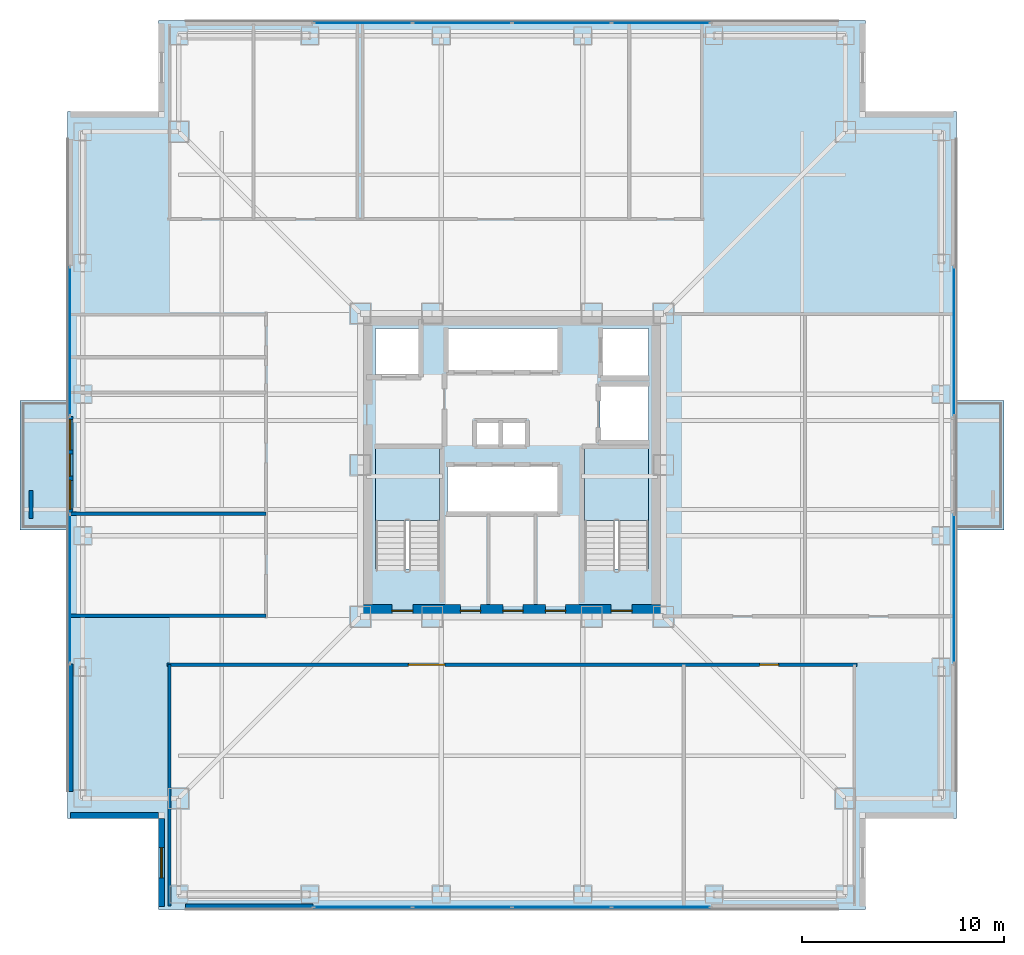
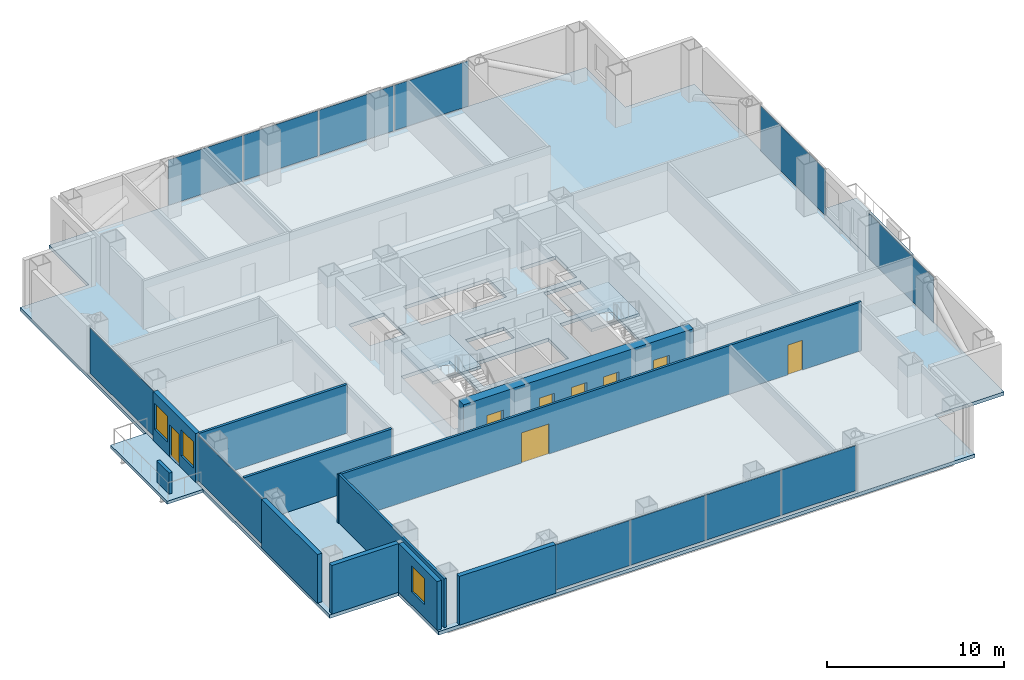
# One storey, part 11 of 16: 12 plates, 11 walls, 8 doors, 5 slabs, 3 windows, 11 openings, 8 elements without a shape of their own.
"""IFC4 building model written with IfcOpenShell, lengths in metres."""

from ifc_helpers import new_model, si_unit, direction, frame, frame_2d, origin, origin_2d, place, context, subcontext, project, spatial, polyline, rectangle, outline, extrude, material, layer, layer_set, type_object, element, fill, aggregate, save


model = new_model("IFC4")

# Units and contexts
model_context = context("Model", 3, precision=1e-05, world=origin(), true_north=direction((0.0, 1.0)))
body_context = subcontext(model_context, "Body", "Model", "MODEL_VIEW")
ifc_project = project(units=[si_unit("LENGTHUNIT", "METRE"), si_unit("AREAUNIT", "SQUARE_METRE"), si_unit("VOLUMEUNIT", "CUBIC_METRE"), si_unit("PLANEANGLEUNIT", "RADIAN"), si_unit("MASSUNIT", "GRAM", prefix="KILO")], contexts=[model_context])

# Site, building, storey
site_placement = place(None, origin())
site = spatial("IfcSite", under=ifc_project, at=site_placement, CompositionType="ELEMENT")
building_placement = place(site_placement, origin())
building = spatial("IfcBuilding", under=site, at=building_placement, Name="Trevonay Congress Spire", CompositionType="ELEMENT")
storey_placement = place(building_placement, frame((0.0, 0.0, 144.39990234375)))
storey = spatial("IfcBuildingStorey", under=building, at=storey_placement, Name="L37", CompositionType="ELEMENT", Elevation=144.39990234375)

# Curtain wall, plates
ifc_material_1 = material(Name="Pale Anodised Aluminium EN AW-6063-T6", Category="aluminium")
ifc_layer_1 = layer(ifc_material_1, 0.175048828125, Name="Pale Anodised Aluminium EN AW-6063-T6")
ifc_layer_set_1 = layer_set([ifc_layer_1], Name="Pale Anodised Aluminium EN AW-6063-T6")
curtain_wall_type = type_object("IfcCurtainWallType", Name="CW-SYS03-CONGRESS-PALE-METAL", PredefinedType="NOTDEFINED", material=ifc_layer_set_1)
curtain_wall_1_placement = place(storey_placement, origin())
curtain_wall_1 = element("IfcCurtainWall", 1, at=curtain_wall_1_placement, inside=storey, type_object=curtain_wall_type, Name="L37 S unitised curtain wall", PredefinedType="NOTDEFINED")
ifc_material_2 = material(Name="Insulated Low-E Vision Glass IGU", Category="glass")
ifc_layer_2 = layer(ifc_material_2, 0.035888671875, Name="Insulated Low-E Vision Glass IGU")
ifc_layer_set_2 = layer_set([ifc_layer_2], Name="Insulated Low-E Vision Glass IGU")
plate_type = type_object("IfcPlateType", Name="CW-PANEL-IGU36-SILVER", PredefinedType="CURTAIN_PANEL", material=ifc_layer_set_2)
plate_1_placement = place(storey_placement, frame((-7.37255859375, -21.8798828125, 0.1201171875), z_axis=(0.0, 0.0, 1.0), x_axis=(1.0, 0.0, 0.0)))
plate_1 = element("IfcPlate", 2, at=plate_1_placement, type_object=plate_type, Name="CW03 panel 1.1", PredefinedType="CURTAIN_PANEL", context=body_context, shape_type="SweptSolid", body=[
    extrude(rectangle(XDim=4.8349609375, YDim=0.035888671875, at=origin_2d()), origin(), (0.0, 0.0, 1.0), 3.1201171875),
])
plate_2_placement = place(storey_placement, frame((-2.46240234375, -21.8798828125, 0.1201171875), z_axis=(0.0, 0.0, 1.0), x_axis=(1.0, 0.0, 0.0)))
plate_2 = element("IfcPlate", 3, at=plate_2_placement, type_object=plate_type, Name="CW03 panel 2.1", PredefinedType="CURTAIN_PANEL", context=body_context, shape_type="SweptSolid", body=[
    extrude(rectangle(XDim=4.864990234375, YDim=0.035888671875, at=origin_2d()), origin(), (0.0, 0.0, 1.0), 3.1201171875),
])
plate_3_placement = place(storey_placement, frame((2.46240234375, -21.8798828125, 0.1201171875), z_axis=(0.0, 0.0, 1.0), x_axis=(1.0, 0.0, 0.0)))
plate_3 = element("IfcPlate", 4, at=plate_3_placement, type_object=plate_type, Name="CW03 panel 3.1", PredefinedType="CURTAIN_PANEL", context=body_context, shape_type="SweptSolid", body=[
    extrude(rectangle(XDim=4.864990234375, YDim=0.035888671875, at=origin_2d()), origin(), (0.0, 0.0, 1.0), 3.1201171875),
])
plate_4_placement = place(storey_placement, frame((7.37255859375, -21.8798828125, 0.1201171875), z_axis=(0.0, 0.0, 1.0), x_axis=(1.0, 0.0, 0.0)))
plate_4 = element("IfcPlate", 5, at=plate_4_placement, type_object=plate_type, Name="CW03 panel 4.1", PredefinedType="CURTAIN_PANEL", context=body_context, shape_type="SweptSolid", body=[
    extrude(rectangle(XDim=4.8349609375, YDim=0.035888671875, at=origin_2d()), origin(), (0.0, 0.0, 1.0), 3.1201171875),
])
aggregate(curtain_wall_1, [plate_1, plate_2, plate_3, plate_4])

curtain_wall_2_placement = place(storey_placement, origin())
curtain_wall_2 = element("IfcCurtainWall", 6, at=curtain_wall_2_placement, inside=storey, type_object=curtain_wall_type, Name="L37 N unitised curtain wall", PredefinedType="NOTDEFINED")
plate_5_placement = place(storey_placement, frame((-7.37255859375, 21.8798828125, 0.1201171875), z_axis=(0.0, 0.0, 1.0), x_axis=(1.0, 0.0, 0.0)))
plate_5 = element("IfcPlate", 7, at=plate_5_placement, type_object=plate_type, Name="CW03 panel 1.1", PredefinedType="CURTAIN_PANEL", context=body_context, shape_type="SweptSolid", body=[
    extrude(rectangle(XDim=4.8349609375, YDim=0.035888671875, at=origin_2d()), origin(), (0.0, 0.0, 1.0), 3.1201171875),
])
plate_6_placement = place(storey_placement, frame((-2.46240234375, 21.8798828125, 0.1201171875), z_axis=(0.0, 0.0, 1.0), x_axis=(1.0, 0.0, 0.0)))
plate_6 = element("IfcPlate", 8, at=plate_6_placement, type_object=plate_type, Name="CW03 panel 2.1", PredefinedType="CURTAIN_PANEL", context=body_context, shape_type="SweptSolid", body=[
    extrude(rectangle(XDim=4.864990234375, YDim=0.035888671875, at=origin_2d()), origin(), (0.0, 0.0, 1.0), 3.1201171875),
])
plate_7_placement = place(storey_placement, frame((2.46240234375, 21.8798828125, 0.1201171875), z_axis=(0.0, 0.0, 1.0), x_axis=(1.0, 0.0, 0.0)))
plate_7 = element("IfcPlate", 9, at=plate_7_placement, type_object=plate_type, Name="CW03 panel 3.1", PredefinedType="CURTAIN_PANEL", context=body_context, shape_type="SweptSolid", body=[
    extrude(rectangle(XDim=4.864990234375, YDim=0.035888671875, at=origin_2d()), origin(), (0.0, 0.0, 1.0), 3.1201171875),
])
plate_8_placement = place(storey_placement, frame((7.37255859375, 21.8798828125, 0.1201171875), z_axis=(0.0, 0.0, 1.0), x_axis=(1.0, 0.0, 0.0)))
plate_8 = element("IfcPlate", 10, at=plate_8_placement, type_object=plate_type, Name="CW03 panel 4.1", PredefinedType="CURTAIN_PANEL", context=body_context, shape_type="SweptSolid", body=[
    extrude(rectangle(XDim=4.8349609375, YDim=0.035888671875, at=origin_2d()), origin(), (0.0, 0.0, 1.0), 3.1201171875),
])
aggregate(curtain_wall_2, [plate_5, plate_6, plate_7, plate_8])

# Curtain wall, plate
curtain_wall_3_placement = place(storey_placement, origin())
curtain_wall_3 = element("IfcCurtainWall", 11, at=curtain_wall_3_placement, inside=storey, type_object=curtain_wall_type, Name="L37 WA unitised curtain wall", PredefinedType="NOTDEFINED")
plate_9_placement = place(storey_placement, frame((-21.8798828125, -6.125, 0.1201171875), z_axis=(0.0, 0.0, 1.0), x_axis=(0.0, 1.0, 0.0)))
plate_9 = element("IfcPlate", 12, at=plate_9_placement, type_object=plate_type, Name="CW03 panel 1.1", PredefinedType="CURTAIN_PANEL", context=body_context, shape_type="SweptSolid", body=[
    extrude(rectangle(XDim=7.330078125, YDim=0.035888671875, at=origin_2d()), origin(), (0.0, 0.0, 1.0), 3.1201171875),
])
aggregate(curtain_wall_3, [plate_9])

curtain_wall_4_placement = place(storey_placement, origin())
curtain_wall_4 = element("IfcCurtainWall", 13, at=curtain_wall_4_placement, inside=storey, type_object=curtain_wall_type, Name="L37 WB unitised curtain wall", PredefinedType="NOTDEFINED")
plate_10_placement = place(storey_placement, frame((-21.8798828125, 6.125, 0.1201171875), z_axis=(0.0, 0.0, 1.0), x_axis=(0.0, 1.0, 0.0)))
plate_10 = element("IfcPlate", 14, at=plate_10_placement, type_object=plate_type, Name="CW03 panel 1.1", PredefinedType="CURTAIN_PANEL", context=body_context, shape_type="SweptSolid", body=[
    extrude(rectangle(XDim=7.330078125, YDim=0.035888671875, at=origin_2d()), origin(), (0.0, 0.0, 1.0), 3.1201171875),
])
aggregate(curtain_wall_4, [plate_10])

curtain_wall_5_placement = place(storey_placement, origin())
curtain_wall_5 = element("IfcCurtainWall", 15, at=curtain_wall_5_placement, inside=storey, type_object=curtain_wall_type, Name="L37 EA unitised curtain wall", PredefinedType="NOTDEFINED")
plate_11_placement = place(storey_placement, frame((21.8798828125, -6.125, 0.1201171875), z_axis=(0.0, 0.0, 1.0), x_axis=(0.0, 1.0, 0.0)))
plate_11 = element("IfcPlate", 16, at=plate_11_placement, type_object=plate_type, Name="CW03 panel 1.1", PredefinedType="CURTAIN_PANEL", context=body_context, shape_type="SweptSolid", body=[
    extrude(rectangle(XDim=7.330078125, YDim=0.035888671875, at=origin_2d()), origin(), (0.0, 0.0, 1.0), 3.1201171875),
])
aggregate(curtain_wall_5, [plate_11])

curtain_wall_6_placement = place(storey_placement, origin())
curtain_wall_6 = element("IfcCurtainWall", 17, at=curtain_wall_6_placement, inside=storey, type_object=curtain_wall_type, Name="L37 EB unitised curtain wall", PredefinedType="NOTDEFINED")
plate_12_placement = place(storey_placement, frame((21.8798828125, 6.125, 0.1201171875), z_axis=(0.0, 0.0, 1.0), x_axis=(0.0, 1.0, 0.0)))
plate_12 = element("IfcPlate", 18, at=plate_12_placement, type_object=plate_type, Name="CW03 panel 1.1", PredefinedType="CURTAIN_PANEL", context=body_context, shape_type="SweptSolid", body=[
    extrude(rectangle(XDim=7.330078125, YDim=0.035888671875, at=origin_2d()), origin(), (0.0, 0.0, 1.0), 3.1201171875),
])
aggregate(curtain_wall_6, [plate_12])

# Stair, slab
ifc_material_3 = material(Name="Concrete C40/50", Category="concrete")
stair_type_1 = type_object("IfcStairType", Name="STR-ST-1", PredefinedType="HALF_TURN_STAIR", material=ifc_material_3)
stair_1_placement = place(storey_placement, origin())
stair_1 = element("IfcStair", 19, at=stair_1_placement, inside=storey, type_object=stair_type_1, Name="L37 Protected Exit Stair ST-1", PredefinedType="HALF_TURN_STAIR")
ifc_layer_3 = layer(ifc_material_3, 0.199951171875, Name="Concrete C40/50")
ifc_layer_set_3 = layer_set([ifc_layer_3], Name="Concrete C40/50")
slab_type_1 = type_object("IfcSlabType", Name="SLB-STAIR-LAND-200", PredefinedType="LANDING", material=ifc_layer_set_3)
slab_1_placement = place(storey_placement, frame((0.0, 0.0, 1.60009765625)))
slab_1 = element("IfcSlab", 20, at=slab_1_placement, type_object=slab_type_1, Name="ST-1 landing 1", PredefinedType="LANDING", context=body_context, shape_type="SweptSolid", body=[
    extrude(outline(polyline([(-3.60009765625, -2.72998046875), (-3.60009765625, 0.85009765625), (-6.75, 0.85009765625), (-6.75, -2.72998046875), (-3.60009765625, -2.72998046875)])), origin(), (0.0, 0.0, 1.0), 0.199951171875),
])
aggregate(stair_1, [slab_1])

stair_type_2 = type_object("IfcStairType", Name="STR-ST-2", PredefinedType="HALF_TURN_STAIR", material=ifc_material_3)
stair_2_placement = place(storey_placement, origin())
stair_2 = element("IfcStair", 21, at=stair_2_placement, inside=storey, type_object=stair_type_2, Name="L37 Protected Exit Stair ST-2", PredefinedType="HALF_TURN_STAIR")
slab_2_placement = place(storey_placement, frame((0.0, 0.0, 1.60009765625)))
slab_2 = element("IfcSlab", 22, at=slab_2_placement, type_object=slab_type_1, Name="ST-2 landing 1", PredefinedType="LANDING", context=body_context, shape_type="SweptSolid", body=[
    extrude(outline(polyline([(6.75, -2.72998046875), (6.75, 0.85009765625), (3.60009765625, 0.85009765625), (3.60009765625, -2.72998046875), (6.75, -2.72998046875)])), origin(), (0.0, 0.0, 1.0), 0.199951171875),
])
aggregate(stair_2, [slab_2])

# Slabs
ifc_layer_4 = layer(ifc_material_3, 0.239990234375, Name="Concrete C40/50")
ifc_layer_set_4 = layer_set([ifc_layer_4], Name="Concrete C40/50")
slab_type_2 = type_object("IfcSlabType", Name="SLB-TOW2-240", PredefinedType="FLOOR", material=ifc_layer_set_4)
slab_3_placement = place(storey_placement, frame((0.0, 0.0, -0.239990234375)))
element("IfcSlab", 23, at=slab_3_placement, inside=storey, type_object=slab_type_2, Name="L37 structural floor slab", PredefinedType="FLOOR", context=body_context, shape_type="SweptSolid", body=[
    extrude(outline(polyline([(-17.5, -22.0), (17.5, -22.0), (17.5, -17.5), (22.0, -17.5), (22.0, 17.5), (17.5, 17.5), (17.5, 22.0), (-17.5, 22.0), (-17.5, 17.5), (-22.0, 17.5), (-22.0, -17.5), (-17.5, -17.5), (-17.5, -22.0)]), holes=[polyline([(-3.60009765625, -5.14990234375), (-3.60009765625, 0.85009765625), (-6.75, 0.85009765625), (-6.75, -5.14990234375), (-3.60009765625, -5.14990234375)]), polyline([(6.75, -5.14990234375), (6.75, 0.85009765625), (3.60009765625, 0.85009765625), (3.60009765625, -5.14990234375), (6.75, -5.14990234375)]), polyline([(-3.199951171875, -2.35009765625), (2.340087890625, -2.35009765625), (2.340087890625, -0.050048828125), (-3.199951171875, -0.050048828125), (-3.199951171875, -2.35009765625)]), polyline([(-3.199951171875, 4.64990234375), (2.340087890625, 4.64990234375), (2.340087890625, 6.75), (-3.199951171875, 6.75), (-3.199951171875, 4.64990234375)]), polyline([(-6.75, 4.35009765625), (-4.449951171875, 4.35009765625), (-4.449951171875, 6.75), (-6.75, 6.75), (-6.75, 4.35009765625)]), polyline([(4.449951171875, 4.35009765625), (6.75, 4.35009765625), (6.75, 6.75), (4.449951171875, 6.75), (4.449951171875, 4.35009765625)]), polyline([(4.35009765625, 1.199951171875), (6.75, 1.199951171875), (6.75, 3.949951171875), (4.35009765625, 3.949951171875), (4.35009765625, 1.199951171875)]), polyline([(-1.800048828125, 0.949951171875), (0.699951171875, 0.949951171875), (0.699951171875, 2.14990234375), (-1.800048828125, 2.14990234375), (-1.800048828125, 0.949951171875)])]), origin(), (0.0, 0.0, 1.0), 0.239990234375),
])
ifc_layer_5 = layer(ifc_material_3, 0.2099609375, Name="Concrete C40/50")
ifc_layer_set_5 = layer_set([ifc_layer_5], Name="Concrete C40/50")
slab_type_3 = type_object("IfcSlabType", Name="SLB-TREEBAL-210", PredefinedType="FLOOR", material=ifc_layer_set_5)
slab_4_placement = place(storey_placement, frame((0.0, 0.0, -0.2099609375)))
element("IfcSlab", 24, at=slab_4_placement, inside=storey, type_object=slab_type_3, Name="L37 cantilevered tree-planter balcony pod E", PredefinedType="FLOOR", context=body_context, shape_type="SweptSolid", body=[
    extrude(outline(polyline([(22.0, -3.199951171875), (24.35009765625, -3.199951171875), (24.35009765625, 3.199951171875), (22.0, 3.199951171875), (22.0, -3.199951171875)])), origin(), (0.0, 0.0, 1.0), 0.2099609375),
])
slab_5_placement = place(storey_placement, frame((0.0, 0.0, -0.2099609375)))
element("IfcSlab", 25, at=slab_5_placement, inside=storey, type_object=slab_type_3, Name="L37 cantilevered tree-planter balcony pod W", PredefinedType="FLOOR", context=body_context, shape_type="SweptSolid", body=[
    extrude(outline(polyline([(-24.35009765625, -3.199951171875), (-22.0, -3.199951171875), (-22.0, 3.199951171875), (-24.35009765625, 3.199951171875), (-24.35009765625, -3.199951171875)])), origin(), (0.0, 0.0, 1.0), 0.2099609375),
])

# Wall, openings, doors
ifc_material_4 = material(Name="Concrete C60/75", Category="concrete")
ifc_layer_6 = layer(ifc_material_4, 0.60009765625, Name="Concrete C60/75")
ifc_layer_set_6 = layer_set([ifc_layer_6], Name="Concrete C60/75")
wall_type_1 = type_object("IfcWallType", Name="WAL-CORE-600", PredefinedType="SHEAR", material=ifc_layer_set_6)
wall_1_placement = place(storey_placement, frame((-7.5, -7.199951171875, 0.0), z_axis=(0.0, 0.0, 1.0), x_axis=(1.0, 0.0, 0.0)))
wall_1 = element("IfcWall", 26, at=wall_1_placement, inside=storey, type_object=wall_type_1, Name="L37 South structural core shear wall", PredefinedType="SHEAR", context=body_context, shape_type="SweptSolid", body=[
    extrude(rectangle(XDim=15.0, YDim=0.60009765625, at=frame_2d((7.5, 0.0))), origin(), (0.0, 0.0, 1.0), 3.360107421875),
])
opening_1_placement = place(wall_1_placement, frame((1.550048828125, 0.0, 0.0)))
opening_1 = element("IfcOpeningElement", 27, at=opening_1_placement, cuts=wall_1, Name="Opening D05", PredefinedType="OPENING", context=body_context, shape_type="SweptSolid", body=[
    extrude(rectangle(XDim=1.050048828125, YDim=2.080078125, at=frame_2d((0.52490234375, 1.0400390625))), frame((0.0, 0.31005859375, 0.0), z_axis=(0.0, -1.0, 0.0), x_axis=(1.0, 0.0, 0.0)), (0.0, 0.0, 1.0), 0.6201171875),
])
opening_2_placement = place(wall_1_placement, frame((12.39990234375, 0.0, 0.0)))
opening_2 = element("IfcOpeningElement", 28, at=opening_2_placement, cuts=wall_1, Name="Opening D05", PredefinedType="OPENING", context=body_context, shape_type="SweptSolid", body=[
    extrude(rectangle(XDim=1.050048828125, YDim=2.080078125, at=frame_2d((0.52490234375, 1.0400390625))), frame((0.0, 0.31005859375, 0.0), z_axis=(0.0, -1.0, 0.0), x_axis=(1.0, 0.0, 0.0)), (0.0, 0.0, 1.0), 0.6201171875),
])
opening_3_placement = place(wall_1_placement, frame((4.949951171875, 0.0, 0.0)))
opening_3 = element("IfcOpeningElement", 29, at=opening_3_placement, cuts=wall_1, Name="Opening D06", PredefinedType="OPENING", context=body_context, shape_type="SweptSolid", body=[
    extrude(rectangle(XDim=1.0, YDim=2.080078125, at=frame_2d((0.5, 1.0400390625))), frame((0.0, 0.31005859375, 0.0), z_axis=(0.0, -1.0, 0.0), x_axis=(1.0, 0.0, 0.0)), (0.0, 0.0, 1.0), 0.6201171875),
])
opening_4_placement = place(wall_1_placement, frame((7.050048828125, 0.0, 0.0)))
opening_4 = element("IfcOpeningElement", 30, at=opening_4_placement, cuts=wall_1, Name="Opening D06", PredefinedType="OPENING", context=body_context, shape_type="SweptSolid", body=[
    extrude(rectangle(XDim=1.0, YDim=2.080078125, at=frame_2d((0.5, 1.0400390625))), frame((0.0, 0.31005859375, 0.0), z_axis=(0.0, -1.0, 0.0), x_axis=(1.0, 0.0, 0.0)), (0.0, 0.0, 1.0), 0.6201171875),
])
opening_5_placement = place(wall_1_placement, frame((9.14990234375, 0.0, 0.0)))
opening_5 = element("IfcOpeningElement", 31, at=opening_5_placement, cuts=wall_1, Name="Opening D06", PredefinedType="OPENING", context=body_context, shape_type="SweptSolid", body=[
    extrude(rectangle(XDim=1.0, YDim=2.080078125, at=frame_2d((0.5, 1.0400390625))), frame((0.0, 0.31005859375, 0.0), z_axis=(0.0, -1.0, 0.0), x_axis=(1.0, 0.0, 0.0)), (0.0, 0.0, 1.0), 0.6201171875),
])
ifc_material_5 = material(Name="Steel ASTM A572 Grade 50", Category="steel")
door_type_1 = type_object("IfcDoorType", Name="DOR-FIRE-100", OperationType="NOTDEFINED", PredefinedType="DOOR", material=ifc_material_5)
door_1_placement = place(opening_3_placement, origin())
door_1 = element("IfcDoor", 32, at=door_1_placement, inside=storey, type_object=door_type_1, Name="L37 South Core Room 1 Door", OperationType="SINGLE_SWING_LEFT", OverallHeight=2.080078125, OverallWidth=1.0, PredefinedType="DOOR", context=body_context, shape_type="SweptSolid", body=[
    extrude(rectangle(XDim=1.0, YDim=2.080078125, at=frame_2d((0.5, 1.0400390625))), frame((0.0, 0.02490234375, 0.0), z_axis=(0.0, -1.0, 0.0), x_axis=(1.0, 0.0, 0.0)), (0.0, 0.0, 1.0), 0.050048828125),
])
fill(opening_3, door_1)
door_2_placement = place(opening_4_placement, origin())
door_2 = element("IfcDoor", 33, at=door_2_placement, inside=storey, type_object=door_type_1, Name="L37 South Core Room 2 Door", OperationType="SINGLE_SWING_RIGHT", OverallHeight=2.080078125, OverallWidth=1.0, PredefinedType="DOOR", context=body_context, shape_type="SweptSolid", body=[
    extrude(rectangle(XDim=1.0, YDim=2.080078125, at=frame_2d((0.5, 1.0400390625))), frame((0.0, 0.02490234375, 0.0), z_axis=(0.0, -1.0, 0.0), x_axis=(1.0, 0.0, 0.0)), (0.0, 0.0, 1.0), 0.050048828125),
])
fill(opening_4, door_2)
door_3_placement = place(opening_5_placement, origin())
door_3 = element("IfcDoor", 34, at=door_3_placement, inside=storey, type_object=door_type_1, Name="L37 South Core Room 3 Door", OperationType="SINGLE_SWING_LEFT", OverallHeight=2.080078125, OverallWidth=1.0, PredefinedType="DOOR", context=body_context, shape_type="SweptSolid", body=[
    extrude(rectangle(XDim=1.0, YDim=2.080078125, at=frame_2d((0.5, 1.0400390625))), frame((0.0, 0.02490234375, 0.0), z_axis=(0.0, -1.0, 0.0), x_axis=(1.0, 0.0, 0.0)), (0.0, 0.0, 1.0), 0.050048828125),
])
fill(opening_5, door_3)
door_type_2 = type_object("IfcDoorType", Name="DOR-STAIR-110", OperationType="NOTDEFINED", PredefinedType="DOOR", material=ifc_material_5)
door_4_placement = place(opening_1_placement, origin())
door_4 = element("IfcDoor", 35, at=door_4_placement, inside=storey, type_object=door_type_2, Name="L37 Protected Stair ST-1 Door", OperationType="SINGLE_SWING_RIGHT", OverallHeight=2.080078125, OverallWidth=1.050048828125, PredefinedType="DOOR", context=body_context, shape_type="SweptSolid", body=[
    extrude(rectangle(XDim=1.050048828125, YDim=2.080078125, at=frame_2d((0.52490234375, 1.0400390625))), frame((0.0, 0.02490234375, 0.0), z_axis=(0.0, -1.0, 0.0), x_axis=(1.0, 0.0, 0.0)), (0.0, 0.0, 1.0), 0.050048828125),
])
fill(opening_1, door_4)
door_5_placement = place(opening_2_placement, origin())
door_5 = element("IfcDoor", 36, at=door_5_placement, inside=storey, type_object=door_type_2, Name="L37 Protected Stair ST-2 Door", OperationType="SINGLE_SWING_LEFT", OverallHeight=2.080078125, OverallWidth=1.050048828125, PredefinedType="DOOR", context=body_context, shape_type="SweptSolid", body=[
    extrude(rectangle(XDim=1.050048828125, YDim=2.080078125, at=frame_2d((0.52490234375, 1.0400390625))), frame((0.0, 0.02490234375, 0.0), z_axis=(0.0, -1.0, 0.0), x_axis=(1.0, 0.0, 0.0)), (0.0, 0.0, 1.0), 0.050048828125),
])
fill(opening_2, door_5)

ifc_layer_7 = layer(ifc_material_3, 0.14990234375, Name="Concrete C40/50")
ifc_layer_set_7 = layer_set([ifc_layer_7], Name="Concrete C40/50")
wall_type_2 = type_object("IfcWallType", Name="WAL-CORR-150", PredefinedType="PARTITIONING", material=ifc_layer_set_7)
wall_2_placement = place(storey_placement, frame((-17.070068359375, -9.8798828125, 0.0), z_axis=(0.0, 0.0, 1.0), x_axis=(1.0, 0.0, 0.0)))
wall_2 = element("IfcWall", 37, at=wall_2_placement, inside=storey, type_object=wall_type_2, Name="L37 interior wall WP-L37S-COR", PredefinedType="PARTITIONING", context=body_context, shape_type="SweptSolid", body=[
    extrude(rectangle(XDim=34.14013671875, YDim=0.14990234375, at=frame_2d((17.070068359375, 0.0))), origin(), (0.0, 0.0, 1.0), 3.360107421875),
])
opening_6_placement = place(wall_2_placement, frame((11.945068359375, 0.0, 0.0)))
opening_6 = element("IfcOpeningElement", 38, at=opening_6_placement, cuts=wall_2, Name="Opening D09", PredefinedType="OPENING", context=body_context, shape_type="SweptSolid", body=[
    extrude(rectangle(XDim=1.800048828125, YDim=2.080078125, at=frame_2d((0.89990234375, 1.0400390625))), frame((0.0, 0.0849609375, 0.0), z_axis=(0.0, -1.0, 0.0), x_axis=(1.0, 0.0, 0.0)), (0.0, 0.0, 1.0), 0.169921875),
])
opening_7_placement = place(wall_2_placement, frame((29.320068359375, 0.0, 0.0)))
opening_7 = element("IfcOpeningElement", 39, at=opening_7_placement, cuts=wall_2, Name="Opening D07", PredefinedType="OPENING", context=body_context, shape_type="SweptSolid", body=[
    extrude(rectangle(XDim=0.949951171875, YDim=2.06005859375, at=frame_2d((0.47509765625, 1.030029296875))), frame((0.0, 0.0849609375, 0.0), z_axis=(0.0, -1.0, 0.0), x_axis=(1.0, 0.0, 0.0)), (0.0, 0.0, 1.0), 0.169921875),
])
door_type_3 = type_object("IfcDoorType", Name="DOR-CONF-DBL", OperationType="DOUBLE_DOOR_SINGLE_SWING", PredefinedType="DOOR", material=ifc_material_1)
door_6_placement = place(opening_6_placement, origin())
door_6 = element("IfcDoor", 40, at=door_6_placement, inside=storey, type_object=door_type_3, Name="L37 Thematic Poster Exhibition Gallery A Door", OperationType="DOUBLE_DOOR_SINGLE_SWING", OverallHeight=2.080078125, OverallWidth=1.800048828125, PredefinedType="DOOR", context=body_context, shape_type="SweptSolid", body=[
    extrude(rectangle(XDim=1.800048828125, YDim=2.080078125, at=frame_2d((0.89990234375, 1.0400390625))), frame((0.0, 0.02490234375, 0.0), z_axis=(0.0, -1.0, 0.0), x_axis=(1.0, 0.0, 0.0)), (0.0, 0.0, 1.0), 0.050048828125),
])
fill(opening_6, door_6)
door_type_4 = type_object("IfcDoorType", Name="DOR-OFFICE-95", OperationType="NOTDEFINED", PredefinedType="DOOR", material=ifc_material_1)
door_7_placement = place(opening_7_placement, origin())
door_7 = element("IfcDoor", 41, at=door_7_placement, inside=storey, type_object=door_type_4, Name="L37 Curatorial Preparation Office Door", OperationType="SINGLE_SWING_LEFT", OverallHeight=2.06005859375, OverallWidth=0.949951171875, PredefinedType="DOOR", context=body_context, shape_type="SweptSolid", body=[
    extrude(rectangle(XDim=0.949951171875, YDim=2.06005859375, at=frame_2d((0.47509765625, 1.030029296875))), frame((0.0, 0.02490234375, 0.0), z_axis=(0.0, -1.0, 0.0), x_axis=(1.0, 0.0, 0.0)), (0.0, 0.0, 1.0), 0.050048828125),
])
fill(opening_7, door_7)

# Walls
ifc_material_6 = material(Name="Precast concrete C40/50", Category="concrete")
ifc_layer_8 = layer(ifc_material_6, 0.300048828125, Name="Precast concrete C40/50")
ifc_layer_set_8 = layer_set([ifc_layer_8], Name="Precast concrete C40/50")
wall_type_3 = type_object("IfcWallType", Name="WAL-EXT-PRECAST-300", PredefinedType="SOLIDWALL", material=ifc_layer_set_8)
for number, where, z_axis, x_axis, name in (
    (42, (-16.14990234375, -21.8798828125, 0.0), (0.0, 0.0, 1.0), (1.0, 0.0, 0.0), "L37 SL braced-bay exterior pier wall"),
    (43, (-21.8798828125, -16.14990234375, 0.0), (0.0, 0.0, 1.0), (0.0, 1.0, 0.0), "L37 WL braced-bay exterior pier wall"),
):
    element("IfcWall", number, at=place(storey_placement, frame(where, z_axis=z_axis, x_axis=x_axis)), inside=storey, type_object=wall_type_3, Name=name, PredefinedType="SOLIDWALL", context=body_context, shape_type="SweptSolid", body=[
        extrude(rectangle(XDim=6.2998046875, YDim=0.300048828125, at=frame_2d((3.14990234375, 0.0))), origin(), (0.0, 0.0, 1.0), 3.360107421875),
    ])

# Wall, openings, door, windows
wall_3_placement = place(storey_placement, frame((-21.8798828125, -2.39990234375, 0.0), z_axis=(0.0, 0.0, 1.0), x_axis=(0.0, 1.0, 0.0)))
wall_3 = element("IfcWall", 44, at=wall_3_placement, inside=storey, type_object=wall_type_3, Name="L37 W glazed balcony portal exterior wall", PredefinedType="SOLIDWALL", context=body_context, shape_type="SweptSolid", body=[
    extrude(rectangle(XDim=4.7998046875, YDim=0.300048828125, at=frame_2d((2.39990234375, 0.0))), origin(), (0.0, 0.0, 1.0), 3.360107421875),
])
opening_8_placement = place(wall_3_placement, frame((1.85009765625, 0.0, 0.0)))
opening_8 = element("IfcOpeningElement", 45, at=opening_8_placement, cuts=wall_3, Name="Opening D03", PredefinedType="OPENING", context=body_context, shape_type="SweptSolid", body=[
    extrude(rectangle(XDim=1.10009765625, YDim=2.199951171875, at=frame_2d((0.550048828125, 1.10009765625))), frame((0.0, 0.16015625, 0.0), z_axis=(0.0, -1.0, 0.0), x_axis=(1.0, 0.0, 0.0)), (0.0, 0.0, 1.0), 0.320068359375),
])
opening_9_placement = place(wall_3_placement, frame((0.219970703125, 0.0, 0.85009765625)))
opening_9 = element("IfcOpeningElement", 46, at=opening_9_placement, cuts=wall_3, Name="Opening WN06", PredefinedType="OPENING", context=body_context, shape_type="SweptSolid", body=[
    extrude(rectangle(XDim=1.429931640625, YDim=1.800048828125, at=frame_2d((0.71484375, 0.89990234375))), frame((0.0, 0.16015625, 0.0), z_axis=(0.0, -1.0, 0.0), x_axis=(1.0, 0.0, 0.0)), (0.0, 0.0, 1.0), 0.320068359375),
])
opening_10_placement = place(wall_3_placement, frame((3.14990234375, 0.0, 0.85009765625)))
opening_10 = element("IfcOpeningElement", 47, at=opening_10_placement, cuts=wall_3, Name="Opening WN03", PredefinedType="OPENING", context=body_context, shape_type="SweptSolid", body=[
    extrude(rectangle(XDim=1.5, YDim=1.800048828125, at=frame_2d((0.75, 0.89990234375))), frame((0.0, 0.16015625, 0.0), z_axis=(0.0, -1.0, 0.0), x_axis=(1.0, 0.0, 0.0)), (0.0, 0.0, 1.0), 0.320068359375),
])
door_type_5 = type_object("IfcDoorType", Name="DOR-EXT-BAL-110", OperationType="NOTDEFINED", PredefinedType="DOOR", material=ifc_material_1)
door_8_placement = place(opening_8_placement, origin())
door_8 = element("IfcDoor", 48, at=door_8_placement, inside=storey, type_object=door_type_5, Name="L37 W glazed outdoor terrace and balcony door", OperationType="SINGLE_SWING_LEFT", OverallHeight=2.199951171875, OverallWidth=1.10009765625, PredefinedType="DOOR", context=body_context, shape_type="SweptSolid", body=[
    extrude(rectangle(XDim=1.10009765625, YDim=2.199951171875, at=frame_2d((0.550048828125, 1.10009765625))), frame((0.0, 0.02490234375, 0.0), z_axis=(0.0, -1.0, 0.0), x_axis=(1.0, 0.0, 0.0)), (0.0, 0.0, 1.0), 0.050048828125),
])
fill(opening_8, door_8)
window_type_1 = type_object("IfcWindowType", Name="WIN-NOTCH-150X180", PartitioningType="SINGLE_PANEL", PredefinedType="WINDOW", material=ifc_material_2)
window_1_placement = place(opening_10_placement, origin())
window_1 = element("IfcWindow", 49, at=window_1_placement, inside=storey, type_object=window_type_1, Name="L37 W balcony sidelight window R", OverallHeight=1.800048828125, OverallWidth=1.5, PartitioningType="SINGLE_PANEL", PredefinedType="WINDOW", context=body_context, shape_type="SweptSolid", body=[
    extrude(rectangle(XDim=1.5, YDim=1.800048828125, at=frame_2d((0.75, 0.89990234375))), frame((0.0, 0.030029296875, 0.0), z_axis=(0.0, -1.0, 0.0), x_axis=(1.0, 0.0, 0.0)), (0.0, 0.0, 1.0), 0.06005859375),
])
fill(opening_10, window_1)
window_type_2 = type_object("IfcWindowType", Name="WIN-SIDELIGHT-143X180", PartitioningType="SINGLE_PANEL", PredefinedType="WINDOW", material=ifc_material_2)
window_2_placement = place(opening_9_placement, origin())
window_2 = element("IfcWindow", 50, at=window_2_placement, inside=storey, type_object=window_type_2, Name="L37 W balcony sidelight window L", OverallHeight=1.800048828125, OverallWidth=1.429931640625, PartitioningType="SINGLE_PANEL", PredefinedType="WINDOW", context=body_context, shape_type="SweptSolid", body=[
    extrude(rectangle(XDim=1.429931640625, YDim=1.800048828125, at=frame_2d((0.71484375, 0.89990234375))), frame((0.0, 0.030029296875, 0.0), z_axis=(0.0, -1.0, 0.0), x_axis=(1.0, 0.0, 0.0)), (0.0, 0.0, 1.0), 0.06005859375),
])
fill(opening_9, window_2)

# Wall, opening, window
wall_4_placement = place(storey_placement, frame((-17.35009765625, -21.85009765625, 0.0), z_axis=(0.0, 0.0, 1.0), x_axis=(0.0, 1.0, 0.0)))
wall_4 = element("IfcWall", 51, at=wall_4_placement, inside=storey, type_object=wall_type_3, Name="L37 SW re-entrant notch exterior wall 1", PredefinedType="SOLIDWALL", context=body_context, shape_type="SweptSolid", body=[
    extrude(rectangle(XDim=4.35009765625, YDim=0.300048828125, at=frame_2d((2.175048828125, 0.0))), origin(), (0.0, 0.0, 1.0), 3.360107421875),
])
opening_11_placement = place(wall_4_placement, frame((1.425048828125, 0.0, 0.89990234375)))
opening_11 = element("IfcOpeningElement", 52, at=opening_11_placement, cuts=wall_4, Name="Opening WN03", PredefinedType="OPENING", context=body_context, shape_type="SweptSolid", body=[
    extrude(rectangle(XDim=1.5, YDim=1.800048828125, at=frame_2d((0.75, 0.89990234375))), frame((0.0, 0.16015625, 0.0), z_axis=(0.0, -1.0, 0.0), x_axis=(1.0, 0.0, 0.0)), (0.0, 0.0, 1.0), 0.320068359375),
])
window_3_placement = place(opening_11_placement, origin())
window_3 = element("IfcWindow", 53, at=window_3_placement, inside=storey, type_object=window_type_1, Name="L37 SW corner notch window", OverallHeight=1.800048828125, OverallWidth=1.5, PartitioningType="SINGLE_PANEL", PredefinedType="WINDOW", context=body_context, shape_type="SweptSolid", body=[
    extrude(rectangle(XDim=1.5, YDim=1.800048828125, at=frame_2d((0.75, 0.89990234375))), frame((0.0, 0.030029296875, 0.0), z_axis=(0.0, -1.0, 0.0), x_axis=(1.0, 0.0, 0.0)), (0.0, 0.0, 1.0), 0.06005859375),
])
fill(opening_11, window_3)

# Walls
wall_5_placement = place(storey_placement, frame((-21.85009765625, -17.35009765625, 0.0), z_axis=(0.0, 0.0, 1.0), x_axis=(1.0, 0.0, 0.0)))
element("IfcWall", 54, at=wall_5_placement, inside=storey, type_object=wall_type_3, Name="L37 SW re-entrant notch exterior wall 2", PredefinedType="SOLIDWALL", context=body_context, shape_type="SweptSolid", body=[
    extrude(rectangle(XDim=4.35009765625, YDim=0.300048828125, at=frame_2d((2.175048828125, 0.0))), origin(), (0.0, 0.0, 1.0), 3.360107421875),
])
ifc_layer_9 = layer(ifc_material_3, 0.14990234375, Name="Concrete C40/50")
ifc_layer_set_9 = layer_set([ifc_layer_9], Name="Concrete C40/50")
wall_type_4 = type_object("IfcWallType", Name="WAL-PART-150", PredefinedType="PARTITIONING", material=ifc_layer_set_9)
wall_6_placement = place(storey_placement, frame((-16.949951171875, -21.820068359375, 0.0), z_axis=(0.0, 0.0, 1.0), x_axis=(0.0, 1.0, 0.0)))
element("IfcWall", 55, at=wall_6_placement, inside=storey, type_object=wall_type_4, Name="L37 interior wall WP-L37S-DIV1", PredefinedType="PARTITIONING", context=body_context, shape_type="SweptSolid", body=[
    extrude(rectangle(XDim=11.940185546875, YDim=0.14990234375, at=frame_2d((5.97021484375, 0.0))), origin(), (0.0, 0.0, 1.0), 3.360107421875),
])
ifc_layer_10 = layer(ifc_material_6, 0.199951171875, Name="Precast concrete C40/50")
ifc_layer_set_10 = layer_set([ifc_layer_10], Name="Precast concrete C40/50")
wall_type_5 = type_object("IfcWallType", Name="WAL-TREE-PLANTER-200", PredefinedType="PARAPET", material=ifc_layer_set_10)
wall_7_placement = place(storey_placement, frame((-23.800048828125, -2.64990234375, 0.0), z_axis=(0.0, 0.0, 1.0), x_axis=(0.0, 1.0, 0.0)))
element("IfcWall", 56, at=wall_7_placement, inside=storey, type_object=wall_type_5, Name="L37 W cantilevered balcony tree planter box", PredefinedType="PARAPET", context=body_context, shape_type="SweptSolid", body=[
    extrude(rectangle(XDim=1.39990234375, YDim=0.199951171875, at=frame_2d((0.699951171875, 0.0))), origin(), (0.0, 0.0, 1.0), 1.4501953125),
])
ifc_layer_11 = layer(ifc_material_3, 0.1650390625, Name="Concrete C40/50")
ifc_layer_set_11 = layer_set([ifc_layer_11], Name="Concrete C40/50")
wall_type_6 = type_object("IfcWallType", Name="WAL-WET-165", PredefinedType="PLUMBINGWALL", material=ifc_layer_set_11)
for number, where, z_axis, x_axis, name in (
    (57, (-21.820068359375, -7.449951171875, 0.0), (0.0, 0.0, 1.0), (1.0, 0.0, 0.0), "L37 interior wall WP-L37W-DIV1"),
    (58, (-21.820068359375, -2.39990234375, 0.0), (0.0, 0.0, 1.0), (1.0, 0.0, 0.0), "L37 interior wall WP-L37W-DIV2"),
):
    element("IfcWall", number, at=place(storey_placement, frame(where, z_axis=z_axis, x_axis=x_axis)), inside=storey, type_object=wall_type_6, Name=name, PredefinedType="PLUMBINGWALL", context=body_context, shape_type="SweptSolid", body=[
        extrude(rectangle(XDim=9.64013671875, YDim=0.1650390625, at=frame_2d((4.820068359375, 0.0))), origin(), (0.0, 0.0, 1.0), 3.360107421875),
    ])

save(model, "model.ifc")
